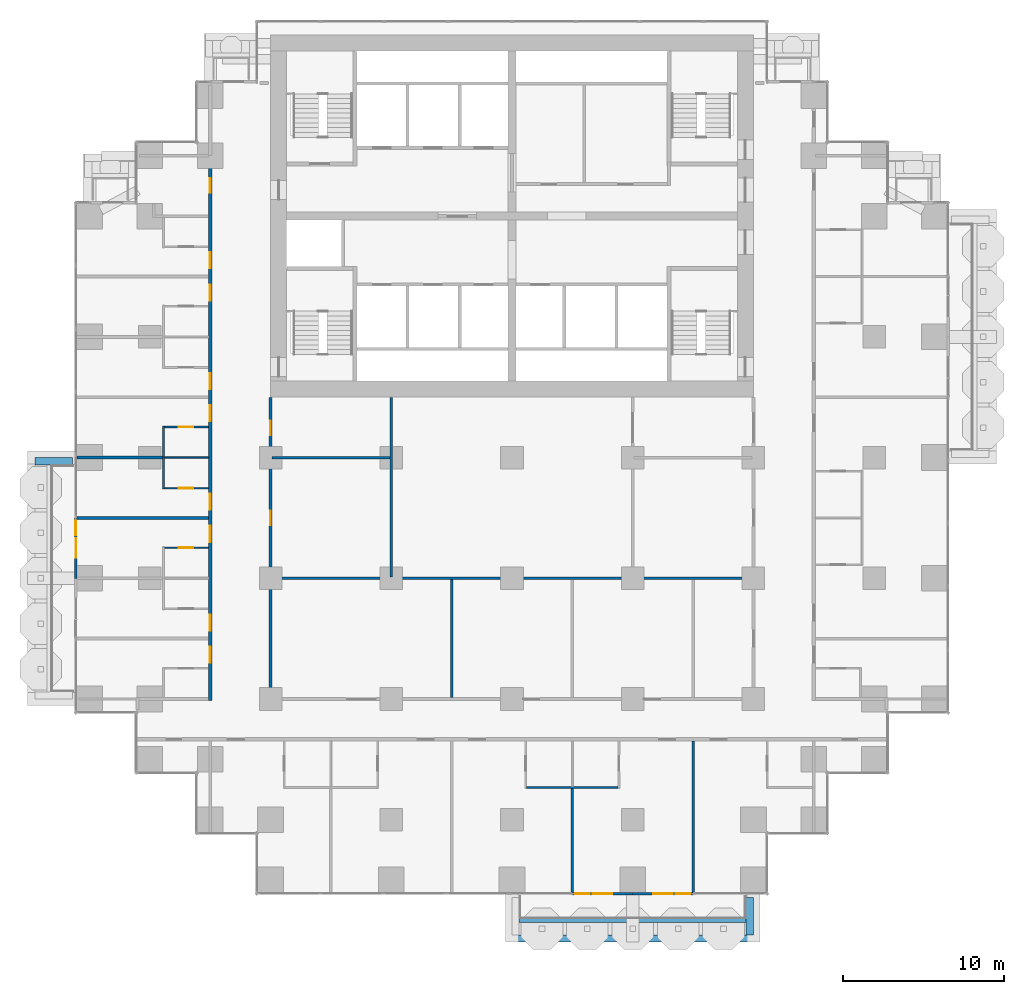
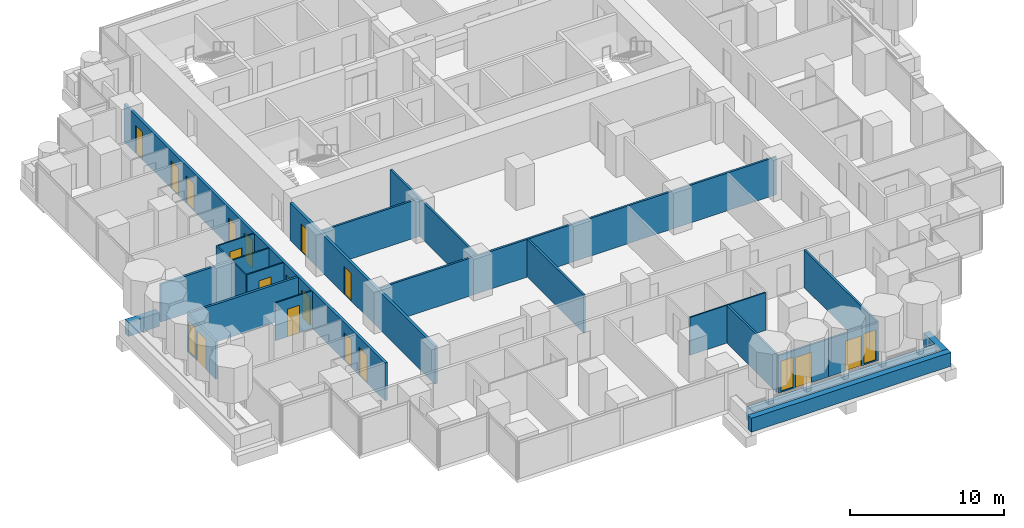
# One storey, part 11 of 18: 23 walls, 17 doors, 3 windows, 20 openings.
"""IFC4 building model written with IfcOpenShell, lengths in metres."""

from ifc_helpers import new_model, si_unit, direction, frame, frame_2d, origin, place, context, subcontext, project, spatial, rectangle, extrude, material, layer, layer_set, type_object, element, fill, save


model = new_model("IFC4")

# Units and contexts
model_context = context("Model", 3, precision=1e-05, world=origin(), true_north=direction((0.0, 1.0)))
body_context = subcontext(model_context, "Body", "Model", "MODEL_VIEW")
ifc_project = project(units=[si_unit("LENGTHUNIT", "METRE"), si_unit("AREAUNIT", "SQUARE_METRE"), si_unit("VOLUMEUNIT", "CUBIC_METRE"), si_unit("PLANEANGLEUNIT", "RADIAN"), si_unit("MASSUNIT", "GRAM", prefix="KILO")], contexts=[model_context])

# Site, building, storey
site_placement = place(None, origin())
site = spatial("IfcSite", under=ifc_project, at=site_placement, CompositionType="ELEMENT")
building_placement = place(site_placement, origin())
building = spatial("IfcBuilding", under=site, at=building_placement, Name="Pilkhan Gate Tower", CompositionType="ELEMENT")
storey_placement = place(building_placement, frame((0.0, 0.0, 52.699951171875)))
storey = spatial("IfcBuildingStorey", under=building, at=storey_placement, Name="L10", CompositionType="ELEMENT", Elevation=52.699951171875)

# Walls
ifc_material_1 = material(Name="Dense blockwork", Category="masonry")
ifc_layer_1 = layer(ifc_material_1, 0.175048828125)
ifc_layer_set_1 = layer_set([ifc_layer_1], Name="Acoustic party wall PW175")
wall_type_1 = type_object("IfcWallType", Name="Acoustic party wall PW175", PredefinedType="PARTITIONING", material=ifc_layer_set_1)
wall_1_placement = place(storey_placement, frame((47.985107421875, 63.75, 0.0), z_axis=(0.0, 0.0, 1.0), x_axis=(1.0, 0.0, 0.0)))
element("IfcWall", 1, at=wall_1_placement, inside=storey, type_object=wall_type_1, Name="Partition L10", PredefinedType="PARTITIONING", context=body_context, shape_type="SweptSolid", body=[
    extrude(rectangle(XDim=8.164794921875, YDim=0.175048828125, at=frame_2d((4.08251953125, 0.0))), origin(), (0.0, 0.0, 1.0), 3.0),
])
wall_2_placement = place(storey_placement, frame((47.985107421875, 67.5, 0.0), z_axis=(0.0, 0.0, 1.0), x_axis=(1.0, 0.0, 0.0)))
element("IfcWall", 2, at=wall_2_placement, inside=storey, type_object=wall_type_1, Name="Partition L10", PredefinedType="PARTITIONING", context=body_context, shape_type="SweptSolid", body=[
    extrude(rectangle(XDim=5.31494140625, YDim=0.175048828125, at=frame_2d((2.657470703125, 0.0))), origin(), (0.0, 0.0, 1.0), 3.0),
])
ifc_material_2 = material(Name="Concrete C40/50", Category="concrete")
ifc_layer_2 = layer(ifc_material_2, 0.25)
ifc_layer_set_2 = layer_set([ifc_layer_2], Name="Balcony planter BP250")
wall_type_2 = type_object("IfcWallType", Name="Balcony planter BP250", PredefinedType="USERDEFINED", material=ifc_layer_set_2)
wall_3_placement = place(storey_placement, frame((75.449951171875, 38.72509765625, 0.0), z_axis=(0.0, 0.0, 1.0), x_axis=(1.0, 0.0, 0.0)))
element("IfcWall", 3, at=wall_3_placement, inside=storey, type_object=wall_type_2, Name="Balcony planter L10 S", ObjectType="BALCONY PLANTER", PredefinedType="USERDEFINED", context=body_context, shape_type="SweptSolid", body=[
    extrude(rectangle(XDim=14.10009765625, YDim=0.25, at=frame_2d((7.050048828125, 0.0))), origin(), (0.0, 0.0, 1.0), 1.0),
])
ifc_material_3 = material(Name="Board-marked Concrete C40/50", Category="concrete")
ifc_layer_3 = layer(ifc_material_3, 0.449951171875)
ifc_layer_set_3 = layer_set([ifc_layer_3], Name="Balcony planter lip BL450")
wall_type_3 = type_object("IfcWallType", Name="Balcony planter lip BL450", PredefinedType="USERDEFINED", material=ifc_layer_set_3)
wall_4_placement = place(storey_placement, frame((75.0, 37.625, 0.0), z_axis=(0.0, 0.0, 1.0), x_axis=(1.0, 0.0, 0.0)))
element("IfcWall", 4, at=wall_4_placement, inside=storey, type_object=wall_type_3, Name="Balcony planter L10 S", ObjectType="BALCONY PLANTER", PredefinedType="USERDEFINED", context=body_context, shape_type="SweptSolid", body=[
    extrude(rectangle(XDim=15.0, YDim=0.449951171875, at=frame_2d((7.5, 0.0))), origin(), (0.0, 0.0, 1.0), 1.10009765625),
])
for number, where, z_axis, x_axis, name in (
    (5, (89.77490234375, 40.179931640625, 0.0), (0.0, 0.0, 1.0), (0.0, -1.0, 0.0), "Balcony planter L10 S"),
    (6, (47.679931640625, 67.27490234375, 0.0), (0.0, 0.0, 1.0), (-1.0, 0.0, 0.0), "Balcony planter L10 W"),
):
    element("IfcWall", number, at=place(storey_placement, frame(where, z_axis=z_axis, x_axis=x_axis)), inside=storey, type_object=wall_type_3, Name=name, ObjectType="BALCONY PLANTER", PredefinedType="USERDEFINED", context=body_context, shape_type="SweptSolid", body=[
        extrude(rectangle(XDim=2.329833984375, YDim=0.449951171875, at=frame_2d((1.1650390625, 0.0))), origin(), (0.0, 0.0, 1.0), 1.10009765625),
    ])

# Wall, openings, doors
ifc_layer_4 = layer(ifc_material_1, 0.199951171875)
ifc_layer_set_4 = layer_set([ifc_layer_4], Name="Corridor wall FW200")
wall_type_4 = type_object("IfcWallType", Name="Corridor wall FW200", PredefinedType="PARTITIONING", material=ifc_layer_set_4)
wall_5_placement = place(storey_placement, frame((56.25, 52.39990234375, 0.0), z_axis=(0.0, 0.0, 1.0), x_axis=(0.0, 1.0, 0.0)))
wall_5 = element("IfcWall", 7, at=wall_5_placement, inside=storey, type_object=wall_type_4, Name="Partition L10", PredefinedType="PARTITIONING", context=body_context, shape_type="SweptSolid", body=[
    extrude(rectangle(XDim=33.925048828125, YDim=0.199951171875, at=frame_2d((16.96240234375, 0.0))), origin(), (0.0, 0.0, 1.0), 3.0),
])
opening_1_placement = place(wall_5_placement, frame((2.35009765625, 0.0, 0.0)))
opening_1 = element("IfcOpeningElement", 8, at=opening_1_placement, cuts=wall_5, Name="Opening L10-16", PredefinedType="OPENING", context=body_context, shape_type="SweptSolid", body=[
    extrude(rectangle(XDim=1.0, YDim=2.199951171875, at=frame_2d((0.5, 1.10009765625))), frame((0.0, 0.10986328125, 0.0), z_axis=(0.0, -1.0, 0.0), x_axis=(1.0, 0.0, 0.0)), (0.0, 0.0, 1.0), 0.219970703125),
])
opening_2_placement = place(wall_5_placement, frame((4.35009765625, 0.0, 0.0)))
opening_2 = element("IfcOpeningElement", 9, at=opening_2_placement, cuts=wall_5, Name="Opening L10-18", PredefinedType="OPENING", context=body_context, shape_type="SweptSolid", body=[
    extrude(rectangle(XDim=1.0, YDim=2.199951171875, at=frame_2d((0.5, 1.10009765625))), frame((0.0, 0.10986328125, 0.0), z_axis=(0.0, -1.0, 0.0), x_axis=(1.0, 0.0, 0.0)), (0.0, 0.0, 1.0), 0.219970703125),
])
opening_3_placement = place(wall_5_placement, frame((9.85009765625, 0.0, 0.0)))
opening_3 = element("IfcOpeningElement", 10, at=opening_3_placement, cuts=wall_5, Name="Opening L10-20", PredefinedType="OPENING", context=body_context, shape_type="SweptSolid", body=[
    extrude(rectangle(XDim=1.0, YDim=2.199951171875, at=frame_2d((0.5, 1.10009765625))), frame((0.0, 0.10986328125, 0.0), z_axis=(0.0, -1.0, 0.0), x_axis=(1.0, 0.0, 0.0)), (0.0, 0.0, 1.0), 0.219970703125),
])
opening_4_placement = place(wall_5_placement, frame((11.85009765625, 0.0, 0.0)))
opening_4 = element("IfcOpeningElement", 11, at=opening_4_placement, cuts=wall_5, Name="Opening L10-22", PredefinedType="OPENING", context=body_context, shape_type="SweptSolid", body=[
    extrude(rectangle(XDim=1.0, YDim=2.199951171875, at=frame_2d((0.5, 1.10009765625))), frame((0.0, 0.10986328125, 0.0), z_axis=(0.0, -1.0, 0.0), x_axis=(1.0, 0.0, 0.0)), (0.0, 0.0, 1.0), 0.219970703125),
])
opening_5_placement = place(wall_5_placement, frame((17.35009765625, 0.0, 0.0)))
opening_5 = element("IfcOpeningElement", 12, at=opening_5_placement, cuts=wall_5, Name="Opening L10-24", PredefinedType="OPENING", context=body_context, shape_type="SweptSolid", body=[
    extrude(rectangle(XDim=1.0, YDim=2.199951171875, at=frame_2d((0.5, 1.10009765625))), frame((0.0, 0.10986328125, 0.0), z_axis=(0.0, -1.0, 0.0), x_axis=(1.0, 0.0, 0.0)), (0.0, 0.0, 1.0), 0.219970703125),
])
opening_6_placement = place(wall_5_placement, frame((19.35009765625, 0.0, 0.0)))
opening_6 = element("IfcOpeningElement", 13, at=opening_6_placement, cuts=wall_5, Name="Opening L10-26", PredefinedType="OPENING", context=body_context, shape_type="SweptSolid", body=[
    extrude(rectangle(XDim=1.0, YDim=2.199951171875, at=frame_2d((0.5, 1.10009765625))), frame((0.0, 0.10986328125, 0.0), z_axis=(0.0, -1.0, 0.0), x_axis=(1.0, 0.0, 0.0)), (0.0, 0.0, 1.0), 0.219970703125),
])
opening_7_placement = place(wall_5_placement, frame((24.85009765625, 0.0, 0.0)))
opening_7 = element("IfcOpeningElement", 14, at=opening_7_placement, cuts=wall_5, Name="Opening L10-28", PredefinedType="OPENING", context=body_context, shape_type="SweptSolid", body=[
    extrude(rectangle(XDim=1.0, YDim=2.199951171875, at=frame_2d((0.5, 1.10009765625))), frame((0.0, 0.10986328125, 0.0), z_axis=(0.0, -1.0, 0.0), x_axis=(1.0, 0.0, 0.0)), (0.0, 0.0, 1.0), 0.219970703125),
])
opening_8_placement = place(wall_5_placement, frame((26.85009765625, 0.0, 0.0)))
opening_8 = element("IfcOpeningElement", 15, at=opening_8_placement, cuts=wall_5, Name="Opening L10-30", PredefinedType="OPENING", context=body_context, shape_type="SweptSolid", body=[
    extrude(rectangle(XDim=1.0, YDim=2.199951171875, at=frame_2d((0.5, 1.10009765625))), frame((0.0, 0.10986328125, 0.0), z_axis=(0.0, -1.0, 0.0), x_axis=(1.0, 0.0, 0.0)), (0.0, 0.0, 1.0), 0.219970703125),
])
opening_9_placement = place(wall_5_placement, frame((31.550048828125, 0.0, 0.0)))
opening_9 = element("IfcOpeningElement", 16, at=opening_9_placement, cuts=wall_5, Name="Opening L10-49", PredefinedType="OPENING", context=body_context, shape_type="SweptSolid", body=[
    extrude(rectangle(XDim=0.89990234375, YDim=2.199951171875, at=frame_2d((0.449951171875, 1.10009765625))), frame((0.0, 0.10986328125, 0.0), z_axis=(0.0, -1.0, 0.0), x_axis=(1.0, 0.0, 0.0)), (0.0, 0.0, 1.0), 0.219970703125),
])
ifc_material_4 = material(Name="Timber flush door, 30 minute fire resisting", Category="wood")
door_type_1 = type_object("IfcDoorType", Name="Guest room door D01 1000x2200", OperationType="SINGLE_SWING_LEFT", PredefinedType="DOOR", material=ifc_material_4)
door_1_placement = place(opening_1_placement, origin())
door_1 = element("IfcDoor", 17, at=door_1_placement, inside=storey, type_object=door_type_1, Name="Guest room door", OperationType="SINGLE_SWING_RIGHT", OverallHeight=2.199951171875, OverallWidth=1.0, PredefinedType="DOOR", context=body_context, shape_type="SweptSolid", body=[
    extrude(rectangle(XDim=1.0, YDim=2.199951171875, at=frame_2d((0.5, 1.10009765625))), frame((0.0, 0.02490234375, 0.0), z_axis=(0.0, -1.0, 0.0), x_axis=(1.0, 0.0, 0.0)), (0.0, 0.0, 1.0), 0.050048828125),
])
fill(opening_1, door_1)
door_2_placement = place(opening_2_placement, origin())
door_2 = element("IfcDoor", 18, at=door_2_placement, inside=storey, type_object=door_type_1, Name="Guest room door", OperationType="SINGLE_SWING_LEFT", OverallHeight=2.199951171875, OverallWidth=1.0, PredefinedType="DOOR", context=body_context, shape_type="SweptSolid", body=[
    extrude(rectangle(XDim=1.0, YDim=2.199951171875, at=frame_2d((0.5, 1.10009765625))), frame((0.0, 0.02490234375, 0.0), z_axis=(0.0, -1.0, 0.0), x_axis=(1.0, 0.0, 0.0)), (0.0, 0.0, 1.0), 0.050048828125),
])
fill(opening_2, door_2)
door_3_placement = place(opening_3_placement, origin())
door_3 = element("IfcDoor", 19, at=door_3_placement, inside=storey, type_object=door_type_1, Name="Guest room door", OperationType="SINGLE_SWING_LEFT", OverallHeight=2.199951171875, OverallWidth=1.0, PredefinedType="DOOR", context=body_context, shape_type="SweptSolid", body=[
    extrude(rectangle(XDim=1.0, YDim=2.199951171875, at=frame_2d((0.5, 1.10009765625))), frame((0.0, 0.02490234375, 0.0), z_axis=(0.0, -1.0, 0.0), x_axis=(1.0, 0.0, 0.0)), (0.0, 0.0, 1.0), 0.050048828125),
])
fill(opening_3, door_3)
door_4_placement = place(opening_4_placement, origin())
door_4 = element("IfcDoor", 20, at=door_4_placement, inside=storey, type_object=door_type_1, Name="Guest room door", OperationType="SINGLE_SWING_LEFT", OverallHeight=2.199951171875, OverallWidth=1.0, PredefinedType="DOOR", context=body_context, shape_type="SweptSolid", body=[
    extrude(rectangle(XDim=1.0, YDim=2.199951171875, at=frame_2d((0.5, 1.10009765625))), frame((0.0, 0.02490234375, 0.0), z_axis=(0.0, -1.0, 0.0), x_axis=(1.0, 0.0, 0.0)), (0.0, 0.0, 1.0), 0.050048828125),
])
fill(opening_4, door_4)
door_5_placement = place(opening_5_placement, origin())
door_5 = element("IfcDoor", 21, at=door_5_placement, inside=storey, type_object=door_type_1, Name="Guest room door", OperationType="SINGLE_SWING_LEFT", OverallHeight=2.199951171875, OverallWidth=1.0, PredefinedType="DOOR", context=body_context, shape_type="SweptSolid", body=[
    extrude(rectangle(XDim=1.0, YDim=2.199951171875, at=frame_2d((0.5, 1.10009765625))), frame((0.0, 0.02490234375, 0.0), z_axis=(0.0, -1.0, 0.0), x_axis=(1.0, 0.0, 0.0)), (0.0, 0.0, 1.0), 0.050048828125),
])
fill(opening_5, door_5)
door_6_placement = place(opening_6_placement, origin())
door_6 = element("IfcDoor", 22, at=door_6_placement, inside=storey, type_object=door_type_1, Name="Guest room door", OperationType="SINGLE_SWING_LEFT", OverallHeight=2.199951171875, OverallWidth=1.0, PredefinedType="DOOR", context=body_context, shape_type="SweptSolid", body=[
    extrude(rectangle(XDim=1.0, YDim=2.199951171875, at=frame_2d((0.5, 1.10009765625))), frame((0.0, 0.02490234375, 0.0), z_axis=(0.0, -1.0, 0.0), x_axis=(1.0, 0.0, 0.0)), (0.0, 0.0, 1.0), 0.050048828125),
])
fill(opening_6, door_6)
door_7_placement = place(opening_7_placement, origin())
door_7 = element("IfcDoor", 23, at=door_7_placement, inside=storey, type_object=door_type_1, Name="Guest room door", OperationType="SINGLE_SWING_LEFT", OverallHeight=2.199951171875, OverallWidth=1.0, PredefinedType="DOOR", context=body_context, shape_type="SweptSolid", body=[
    extrude(rectangle(XDim=1.0, YDim=2.199951171875, at=frame_2d((0.5, 1.10009765625))), frame((0.0, 0.02490234375, 0.0), z_axis=(0.0, -1.0, 0.0), x_axis=(1.0, 0.0, 0.0)), (0.0, 0.0, 1.0), 0.050048828125),
])
fill(opening_7, door_7)
door_8_placement = place(opening_8_placement, origin())
door_8 = element("IfcDoor", 24, at=door_8_placement, inside=storey, type_object=door_type_1, Name="Guest room door", OperationType="SINGLE_SWING_RIGHT", OverallHeight=2.199951171875, OverallWidth=1.0, PredefinedType="DOOR", context=body_context, shape_type="SweptSolid", body=[
    extrude(rectangle(XDim=1.0, YDim=2.199951171875, at=frame_2d((0.5, 1.10009765625))), frame((0.0, 0.02490234375, 0.0), z_axis=(0.0, -1.0, 0.0), x_axis=(1.0, 0.0, 0.0)), (0.0, 0.0, 1.0), 0.050048828125),
])
fill(opening_8, door_8)
ifc_material_5 = material(Name="Timber flush door, 60 minute fire resisting, self-closing", Category="wood")
door_type_2 = type_object("IfcDoorType", Name="Store door D05 900x2200", OperationType="SINGLE_SWING_LEFT", PredefinedType="DOOR", material=ifc_material_5)
door_9_placement = place(opening_9_placement, origin())
door_9 = element("IfcDoor", 25, at=door_9_placement, inside=storey, type_object=door_type_2, Name="Store door", OperationType="SINGLE_SWING_LEFT", OverallHeight=2.199951171875, OverallWidth=0.89990234375, PredefinedType="DOOR", context=body_context, shape_type="SweptSolid", body=[
    extrude(rectangle(XDim=0.89990234375, YDim=2.199951171875, at=frame_2d((0.449951171875, 1.10009765625))), frame((0.0, 0.02490234375, 0.0), z_axis=(0.0, -1.0, 0.0), x_axis=(1.0, 0.0, 0.0)), (0.0, 0.0, 1.0), 0.050048828125),
])
fill(opening_9, door_9)

wall_6_placement = place(storey_placement, frame((60.0, 52.39990234375, 0.0), z_axis=(0.0, 0.0, 1.0), x_axis=(0.0, 1.0, 0.0)))
wall_6 = element("IfcWall", 26, at=wall_6_placement, inside=storey, type_object=wall_type_4, Name="Partition L10", PredefinedType="PARTITIONING", context=body_context, shape_type="SweptSolid", body=[
    extrude(rectangle(XDim=18.840087890625, YDim=0.199951171875, at=frame_2d((9.419921875, 0.0))), origin(), (0.0, 0.0, 1.0), 3.0),
])
opening_10_placement = place(wall_6_placement, frame((10.89990234375, 0.0, 0.0)))
opening_10 = element("IfcOpeningElement", 27, at=opening_10_placement, cuts=wall_6, Name="Opening L10-55", PredefinedType="OPENING", context=body_context, shape_type="SweptSolid", body=[
    extrude(rectangle(XDim=0.89990234375, YDim=2.199951171875, at=frame_2d((0.449951171875, 1.10009765625))), frame((0.0, 0.10986328125, 0.0), z_axis=(0.0, -1.0, 0.0), x_axis=(1.0, 0.0, 0.0)), (0.0, 0.0, 1.0), 0.219970703125),
])
opening_11_placement = place(wall_6_placement, frame((16.5, 0.0, 0.0)))
opening_11 = element("IfcOpeningElement", 28, at=opening_11_placement, cuts=wall_6, Name="Opening L10-56", PredefinedType="OPENING", context=body_context, shape_type="SweptSolid", body=[
    extrude(rectangle(XDim=0.89990234375, YDim=2.199951171875, at=frame_2d((0.449951171875, 1.10009765625))), frame((0.0, 0.10986328125, 0.0), z_axis=(0.0, -1.0, 0.0), x_axis=(1.0, 0.0, 0.0)), (0.0, 0.0, 1.0), 0.219970703125),
])
door_10_placement = place(opening_10_placement, origin())
door_10 = element("IfcDoor", 29, at=door_10_placement, inside=storey, type_object=door_type_2, Name="Store door", OperationType="SINGLE_SWING_LEFT", OverallHeight=2.199951171875, OverallWidth=0.89990234375, PredefinedType="DOOR", context=body_context, shape_type="SweptSolid", body=[
    extrude(rectangle(XDim=0.89990234375, YDim=2.199951171875, at=frame_2d((0.449951171875, 1.10009765625))), frame((0.0, 0.02490234375, 0.0), z_axis=(0.0, -1.0, 0.0), x_axis=(1.0, 0.0, 0.0)), (0.0, 0.0, 1.0), 0.050048828125),
])
fill(opening_10, door_10)
door_11_placement = place(opening_11_placement, origin())
door_11 = element("IfcDoor", 30, at=door_11_placement, inside=storey, type_object=door_type_2, Name="Store door", OperationType="SINGLE_SWING_RIGHT", OverallHeight=2.199951171875, OverallWidth=0.89990234375, PredefinedType="DOOR", context=body_context, shape_type="SweptSolid", body=[
    extrude(rectangle(XDim=0.89990234375, YDim=2.199951171875, at=frame_2d((0.449951171875, 1.10009765625))), frame((0.0, 0.02490234375, 0.0), z_axis=(0.0, -1.0, 0.0), x_axis=(1.0, 0.0, 0.0)), (0.0, 0.0, 1.0), 0.050048828125),
])
fill(opening_11, door_11)

# Wall, openings, door, window
ifc_material_6 = material(Name="Pale anodised aluminium, clear laminated glazing", Category="aluminium")
ifc_layer_5 = layer(ifc_material_6, 0.14990234375)
ifc_layer_set_5 = layer_set([ifc_layer_5], Name="Facade infill wall IW150")
wall_type_5 = type_object("IfcWallType", Name="Facade infill wall IW150", PredefinedType="SOLIDWALL", material=ifc_layer_set_5)
wall_7_placement = place(storey_placement, frame((47.905029296875, 60.0, 0.0), z_axis=(0.0, 0.0, 1.0), x_axis=(0.0, 1.0, 0.0)))
wall_7 = element("IfcWall", 31, at=wall_7_placement, inside=storey, type_object=wall_type_5, Name="Infill wall L10 W", PredefinedType="SOLIDWALL", context=body_context, shape_type="SweptSolid", body=[
    extrude(rectangle(XDim=3.75, YDim=0.14990234375, at=frame_2d((1.875, 0.0))), origin(), (0.0, 0.0, 1.0), 3.0),
])
opening_12_placement = place(wall_7_placement, frame((1.27490234375, 0.0, 0.0)))
opening_12 = element("IfcOpeningElement", 32, at=opening_12_placement, cuts=wall_7, Name="Opening D1", PredefinedType="OPENING", context=body_context, shape_type="SweptSolid", body=[
    extrude(rectangle(XDim=1.199951171875, YDim=2.39990234375, at=frame_2d((0.60009765625, 1.199951171875))), frame((0.0, 0.0849609375, 0.0), z_axis=(0.0, -1.0, 0.0), x_axis=(1.0, 0.0, 0.0)), (0.0, 0.0, 1.0), 0.169921875),
])
opening_13_placement = place(wall_7_placement, frame((2.66259765625, 0.0, 0.10009765625)))
opening_13 = element("IfcOpeningElement", 33, at=opening_13_placement, cuts=wall_7, Name="Opening W1", PredefinedType="OPENING", context=body_context, shape_type="SweptSolid", body=[
    extrude(rectangle(XDim=0.89990234375, YDim=2.39990234375, at=frame_2d((0.449951171875, 1.199951171875))), frame((0.0, 0.0849609375, 0.0), z_axis=(0.0, -1.0, 0.0), x_axis=(1.0, 0.0, 0.0)), (0.0, 0.0, 1.0), 0.169921875),
])
ifc_material_7 = material(Name="Pale anodised aluminium, clear glazing", Category="aluminium")
door_type_3 = type_object("IfcDoorType", Name="Balcony door D1 1200x2400", OperationType="SINGLE_SWING_LEFT", PredefinedType="DOOR", material=ifc_material_7)
door_12_placement = place(opening_12_placement, origin())
door_12 = element("IfcDoor", 34, at=door_12_placement, inside=storey, type_object=door_type_3, Name="Balcony door L10", OperationType="SINGLE_SWING_LEFT", OverallHeight=2.39990234375, OverallWidth=1.199951171875, PredefinedType="DOOR", context=body_context, shape_type="SweptSolid", body=[
    extrude(rectangle(XDim=1.199951171875, YDim=2.39990234375, at=frame_2d((0.60009765625, 1.199951171875))), frame((0.0, 0.02490234375, 0.0), z_axis=(0.0, -1.0, 0.0), x_axis=(1.0, 0.0, 0.0)), (0.0, 0.0, 1.0), 0.050048828125),
])
fill(opening_12, door_12)
ifc_material_8 = material(Name="Pale anodised aluminium, clear double glazing", Category="aluminium")
window_type = type_object("IfcWindowType", Name="Window W1 900x2400", PartitioningType="SINGLE_PANEL", PredefinedType="WINDOW", material=ifc_material_8)
window_1_placement = place(opening_13_placement, origin())
window_1 = element("IfcWindow", 35, at=window_1_placement, inside=storey, type_object=window_type, Name="Window L10", OverallHeight=2.39990234375, OverallWidth=0.89990234375, PartitioningType="SINGLE_PANEL", PredefinedType="WINDOW", context=body_context, shape_type="SweptSolid", body=[
    extrude(rectangle(XDim=0.89990234375, YDim=2.39990234375, at=frame_2d((0.449951171875, 1.199951171875))), frame((0.0, 0.030029296875, 0.0), z_axis=(0.0, -1.0, 0.0), x_axis=(1.0, 0.0, 0.0)), (0.0, 0.0, 1.0), 0.06005859375),
])
fill(opening_13, window_1)

wall_8_placement = place(storey_placement, frame((78.75, 40.405029296875, 0.0), z_axis=(0.0, 0.0, 1.0), x_axis=(1.0, 0.0, 0.0)))
wall_8 = element("IfcWall", 36, at=wall_8_placement, inside=storey, type_object=wall_type_5, Name="Infill wall L10 S", PredefinedType="SOLIDWALL", context=body_context, shape_type="SweptSolid", body=[
    extrude(rectangle(XDim=3.75, YDim=0.14990234375, at=frame_2d((1.875, 0.0))), origin(), (0.0, 0.0, 1.0), 3.0),
])
opening_14_placement = place(wall_8_placement, frame((0.1875, 0.0, 0.10009765625)))
opening_14 = element("IfcOpeningElement", 37, at=opening_14_placement, cuts=wall_8, Name="Opening W1", PredefinedType="OPENING", context=body_context, shape_type="SweptSolid", body=[
    extrude(rectangle(XDim=0.89990234375, YDim=2.39990234375, at=frame_2d((0.449951171875, 1.199951171875))), frame((0.0, 0.0849609375, 0.0), z_axis=(0.0, -1.0, 0.0), x_axis=(1.0, 0.0, 0.0)), (0.0, 0.0, 1.0), 0.169921875),
])
opening_15_placement = place(wall_8_placement, frame((1.27490234375, 0.0, 0.0)))
opening_15 = element("IfcOpeningElement", 38, at=opening_15_placement, cuts=wall_8, Name="Opening D1", PredefinedType="OPENING", context=body_context, shape_type="SweptSolid", body=[
    extrude(rectangle(XDim=1.199951171875, YDim=2.39990234375, at=frame_2d((0.60009765625, 1.199951171875))), frame((0.0, 0.0849609375, 0.0), z_axis=(0.0, -1.0, 0.0), x_axis=(1.0, 0.0, 0.0)), (0.0, 0.0, 1.0), 0.169921875),
])
door_13_placement = place(opening_15_placement, origin())
door_13 = element("IfcDoor", 39, at=door_13_placement, inside=storey, type_object=door_type_3, Name="Balcony door L10", OperationType="SINGLE_SWING_LEFT", OverallHeight=2.39990234375, OverallWidth=1.199951171875, PredefinedType="DOOR", context=body_context, shape_type="SweptSolid", body=[
    extrude(rectangle(XDim=1.199951171875, YDim=2.39990234375, at=frame_2d((0.60009765625, 1.199951171875))), frame((0.0, 0.02490234375, 0.0), z_axis=(0.0, -1.0, 0.0), x_axis=(1.0, 0.0, 0.0)), (0.0, 0.0, 1.0), 0.050048828125),
])
fill(opening_15, door_13)
window_2_placement = place(opening_14_placement, origin())
window_2 = element("IfcWindow", 40, at=window_2_placement, inside=storey, type_object=window_type, Name="Window L10", OverallHeight=2.39990234375, OverallWidth=0.89990234375, PartitioningType="SINGLE_PANEL", PredefinedType="WINDOW", context=body_context, shape_type="SweptSolid", body=[
    extrude(rectangle(XDim=0.89990234375, YDim=2.39990234375, at=frame_2d((0.449951171875, 1.199951171875))), frame((0.0, 0.030029296875, 0.0), z_axis=(0.0, -1.0, 0.0), x_axis=(1.0, 0.0, 0.0)), (0.0, 0.0, 1.0), 0.06005859375),
])
fill(opening_14, window_2)

wall_9_placement = place(storey_placement, frame((82.5, 40.405029296875, 0.0), z_axis=(0.0, 0.0, 1.0), x_axis=(1.0, 0.0, 0.0)))
wall_9 = element("IfcWall", 41, at=wall_9_placement, inside=storey, type_object=wall_type_5, Name="Infill wall L10 S", PredefinedType="SOLIDWALL", context=body_context, shape_type="SweptSolid", body=[
    extrude(rectangle(XDim=3.75, YDim=0.14990234375, at=frame_2d((1.875, 0.0))), origin(), (0.0, 0.0, 1.0), 3.0),
])
opening_16_placement = place(wall_9_placement, frame((1.27490234375, 0.0, 0.0)))
opening_16 = element("IfcOpeningElement", 42, at=opening_16_placement, cuts=wall_9, Name="Opening D1", PredefinedType="OPENING", context=body_context, shape_type="SweptSolid", body=[
    extrude(rectangle(XDim=1.199951171875, YDim=2.39990234375, at=frame_2d((0.60009765625, 1.199951171875))), frame((0.0, 0.0849609375, 0.0), z_axis=(0.0, -1.0, 0.0), x_axis=(1.0, 0.0, 0.0)), (0.0, 0.0, 1.0), 0.169921875),
])
opening_17_placement = place(wall_9_placement, frame((2.66259765625, 0.0, 0.10009765625)))
opening_17 = element("IfcOpeningElement", 43, at=opening_17_placement, cuts=wall_9, Name="Opening W1", PredefinedType="OPENING", context=body_context, shape_type="SweptSolid", body=[
    extrude(rectangle(XDim=0.89990234375, YDim=2.39990234375, at=frame_2d((0.449951171875, 1.199951171875))), frame((0.0, 0.0849609375, 0.0), z_axis=(0.0, -1.0, 0.0), x_axis=(1.0, 0.0, 0.0)), (0.0, 0.0, 1.0), 0.169921875),
])
door_14_placement = place(opening_16_placement, origin())
door_14 = element("IfcDoor", 44, at=door_14_placement, inside=storey, type_object=door_type_3, Name="Balcony door L10", OperationType="SINGLE_SWING_LEFT", OverallHeight=2.39990234375, OverallWidth=1.199951171875, PredefinedType="DOOR", context=body_context, shape_type="SweptSolid", body=[
    extrude(rectangle(XDim=1.199951171875, YDim=2.39990234375, at=frame_2d((0.60009765625, 1.199951171875))), frame((0.0, 0.02490234375, 0.0), z_axis=(0.0, -1.0, 0.0), x_axis=(1.0, 0.0, 0.0)), (0.0, 0.0, 1.0), 0.050048828125),
])
fill(opening_16, door_14)
window_3_placement = place(opening_17_placement, origin())
window_3 = element("IfcWindow", 45, at=window_3_placement, inside=storey, type_object=window_type, Name="Window L10", OverallHeight=2.39990234375, OverallWidth=0.89990234375, PartitioningType="SINGLE_PANEL", PredefinedType="WINDOW", context=body_context, shape_type="SweptSolid", body=[
    extrude(rectangle(XDim=0.89990234375, YDim=2.39990234375, at=frame_2d((0.449951171875, 1.199951171875))), frame((0.0, 0.030029296875, 0.0), z_axis=(0.0, -1.0, 0.0), x_axis=(1.0, 0.0, 0.0)), (0.0, 0.0, 1.0), 0.06005859375),
])
fill(opening_17, window_3)

# Walls
ifc_material_9 = material(Name="Blockwork partition, plastered both sides", Category="masonry")
ifc_layer_6 = layer(ifc_material_9, 0.14990234375)
ifc_layer_set_6 = layer_set([ifc_layer_6], Name="Partition PW150")
wall_type_6 = type_object("IfcWallType", Name="Partition PW150", PredefinedType="PARTITIONING", material=ifc_layer_set_6)
wall_10_placement = place(storey_placement, frame((60.10009765625, 60.0, 0.0), z_axis=(0.0, 0.0, 1.0), x_axis=(1.0, 0.0, 0.0)))
element("IfcWall", 46, at=wall_10_placement, inside=storey, type_object=wall_type_6, Name="Partition L10", PredefinedType="PARTITIONING", context=body_context, shape_type="SweptSolid", body=[
    extrude(rectangle(XDim=29.7998046875, YDim=0.14990234375, at=frame_2d((14.89990234375, 0.0))), origin(), (0.0, 0.0, 1.0), 3.0),
])
wall_11_placement = place(storey_placement, frame((60.10009765625, 67.5, 0.0), z_axis=(0.0, 0.0, 1.0), x_axis=(1.0, 0.0, 0.0)))
element("IfcWall", 47, at=wall_11_placement, inside=storey, type_object=wall_type_6, Name="Partition L10", PredefinedType="PARTITIONING", context=body_context, shape_type="SweptSolid", body=[
    extrude(rectangle(XDim=7.324951171875, YDim=0.14990234375, at=frame_2d((3.66259765625, 0.0))), origin(), (0.0, 0.0, 1.0), 3.0),
])
wall_12_placement = place(storey_placement, frame((67.5, 60.074951171875, 0.0), z_axis=(0.0, 0.0, 1.0), x_axis=(0.0, 1.0, 0.0)))
element("IfcWall", 48, at=wall_12_placement, inside=storey, type_object=wall_type_6, Name="Partition L10", PredefinedType="PARTITIONING", context=body_context, shape_type="SweptSolid", body=[
    extrude(rectangle(XDim=11.1650390625, YDim=0.14990234375, at=frame_2d((5.58251953125, 0.0))), origin(), (0.0, 0.0, 1.0), 3.0),
])
wall_13_placement = place(storey_placement, frame((71.25, 52.60009765625, 0.0), z_axis=(0.0, 0.0, 1.0), x_axis=(0.0, 1.0, 0.0)))
element("IfcWall", 49, at=wall_13_placement, inside=storey, type_object=wall_type_6, Name="Partition L10", PredefinedType="PARTITIONING", context=body_context, shape_type="SweptSolid", body=[
    extrude(rectangle(XDim=7.324951171875, YDim=0.14990234375, at=frame_2d((3.66259765625, 0.0))), origin(), (0.0, 0.0, 1.0), 3.0),
])
wall_14_placement = place(storey_placement, frame((78.75, 40.485107421875, 0.0), z_axis=(0.0, 0.0, 1.0), x_axis=(0.0, 1.0, 0.0)))
element("IfcWall", 50, at=wall_14_placement, inside=storey, type_object=wall_type_6, Name="Partition L10", PredefinedType="PARTITIONING", context=body_context, shape_type="SweptSolid", body=[
    extrude(rectangle(XDim=6.46484375, YDim=0.14990234375, at=frame_2d((3.232421875, 0.0))), origin(), (0.0, 0.0, 1.0), 3.0),
])
wall_15_placement = place(storey_placement, frame((86.25, 40.485107421875, 0.0), z_axis=(0.0, 0.0, 1.0), x_axis=(0.0, 1.0, 0.0)))
element("IfcWall", 51, at=wall_15_placement, inside=storey, type_object=wall_type_6, Name="Partition L10", PredefinedType="PARTITIONING", context=body_context, shape_type="SweptSolid", body=[
    extrude(rectangle(XDim=9.414794921875, YDim=0.14990234375, at=frame_2d((4.70751953125, 0.0))), origin(), (0.0, 0.0, 1.0), 3.0),
])
ifc_material_10 = material(Name="Moisture resistant board, tiled")
ifc_layer_7 = layer(ifc_material_10, 0.10009765625)
ifc_layer_set_7 = layer_set([ifc_layer_7], Name="Wet wall PW100")
wall_type_7 = type_object("IfcWallType", Name="Wet wall PW100", PredefinedType="PARTITIONING", material=ifc_layer_set_7)
wall_16_placement = place(storey_placement, frame((75.89990234375, 47.0, 0.0), z_axis=(0.0, 0.0, 1.0), x_axis=(1.0, 0.0, 0.0)))
element("IfcWall", 52, at=wall_16_placement, inside=storey, type_object=wall_type_7, Name="Partition L10", PredefinedType="PARTITIONING", context=body_context, shape_type="SweptSolid", body=[
    extrude(rectangle(XDim=5.7001953125, YDim=0.10009765625, at=frame_2d((2.85009765625, 0.0))), origin(), (0.0, 0.0, 1.0), 3.0),
])

# Wall, opening, door
wall_17_placement = place(storey_placement, frame((53.39990234375, 61.89990234375, 0.0), z_axis=(0.0, 0.0, 1.0), x_axis=(1.0, 0.0, 0.0)))
wall_17 = element("IfcWall", 53, at=wall_17_placement, inside=storey, type_object=wall_type_7, Name="Partition L10", PredefinedType="PARTITIONING", context=body_context, shape_type="SweptSolid", body=[
    extrude(rectangle(XDim=2.75, YDim=0.10009765625, at=frame_2d((1.375, 0.0))), origin(), (0.0, 0.0, 1.0), 3.0),
])
opening_18_placement = place(wall_17_placement, frame((0.89990234375, 0.0, 0.0)))
opening_18 = element("IfcOpeningElement", 54, at=opening_18_placement, cuts=wall_17, Name="Opening L10-21", PredefinedType="OPENING", context=body_context, shape_type="SweptSolid", body=[
    extrude(rectangle(XDim=0.89990234375, YDim=2.199951171875, at=frame_2d((0.449951171875, 1.10009765625))), frame((0.0, 0.06005859375, 0.0), z_axis=(0.0, -1.0, 0.0), x_axis=(1.0, 0.0, 0.0)), (0.0, 0.0, 1.0), 0.1201171875),
])
ifc_material_11 = material(Name="Timber flush door", Category="wood")
door_type_4 = type_object("IfcDoorType", Name="Bathroom door D02 900x2200", OperationType="SINGLE_SWING_RIGHT", PredefinedType="DOOR", material=ifc_material_11)
door_15_placement = place(opening_18_placement, origin())
door_15 = element("IfcDoor", 55, at=door_15_placement, inside=storey, type_object=door_type_4, Name="Bathroom door", OperationType="SINGLE_SWING_RIGHT", OverallHeight=2.199951171875, OverallWidth=0.89990234375, PredefinedType="DOOR", context=body_context, shape_type="SweptSolid", body=[
    extrude(rectangle(XDim=0.89990234375, YDim=2.199951171875, at=frame_2d((0.449951171875, 1.10009765625))), frame((0.0, 0.02490234375, 0.0), z_axis=(0.0, -1.0, 0.0), x_axis=(1.0, 0.0, 0.0)), (0.0, 0.0, 1.0), 0.050048828125),
])
fill(opening_18, door_15)

wall_18_placement = place(storey_placement, frame((53.39990234375, 65.60009765625, 0.0), z_axis=(0.0, 0.0, 1.0), x_axis=(1.0, 0.0, 0.0)))
wall_18 = element("IfcWall", 56, at=wall_18_placement, inside=storey, type_object=wall_type_7, Name="Partition L10", PredefinedType="PARTITIONING", context=body_context, shape_type="SweptSolid", body=[
    extrude(rectangle(XDim=2.75, YDim=0.10009765625, at=frame_2d((1.375, 0.0))), origin(), (0.0, 0.0, 1.0), 3.0),
])
opening_19_placement = place(wall_18_placement, frame((0.89990234375, 0.0, 0.0)))
opening_19 = element("IfcOpeningElement", 57, at=opening_19_placement, cuts=wall_18, Name="Opening L10-23", PredefinedType="OPENING", context=body_context, shape_type="SweptSolid", body=[
    extrude(rectangle(XDim=0.89990234375, YDim=2.199951171875, at=frame_2d((0.449951171875, 1.10009765625))), frame((0.0, 0.06005859375, 0.0), z_axis=(0.0, -1.0, 0.0), x_axis=(1.0, 0.0, 0.0)), (0.0, 0.0, 1.0), 0.1201171875),
])
door_16_placement = place(opening_19_placement, origin())
door_16 = element("IfcDoor", 58, at=door_16_placement, inside=storey, type_object=door_type_4, Name="Bathroom door", OperationType="SINGLE_SWING_RIGHT", OverallHeight=2.199951171875, OverallWidth=0.89990234375, PredefinedType="DOOR", context=body_context, shape_type="SweptSolid", body=[
    extrude(rectangle(XDim=0.89990234375, YDim=2.199951171875, at=frame_2d((0.449951171875, 1.10009765625))), frame((0.0, 0.02490234375, 0.0), z_axis=(0.0, -1.0, 0.0), x_axis=(1.0, 0.0, 0.0)), (0.0, 0.0, 1.0), 0.050048828125),
])
fill(opening_19, door_16)

# Wall
wall_19_placement = place(storey_placement, frame((53.39990234375, 67.5, 0.0), z_axis=(0.0, 0.0, 1.0), x_axis=(1.0, 0.0, 0.0)))
element("IfcWall", 59, at=wall_19_placement, inside=storey, type_object=wall_type_7, Name="Partition L10", PredefinedType="PARTITIONING", context=body_context, shape_type="SweptSolid", body=[
    extrude(rectangle(XDim=2.75, YDim=0.10009765625, at=frame_2d((1.375, 0.0))), origin(), (0.0, 0.0, 1.0), 3.0),
])

# Wall, opening, door
wall_20_placement = place(storey_placement, frame((53.39990234375, 69.39990234375, 0.0), z_axis=(0.0, 0.0, 1.0), x_axis=(1.0, 0.0, 0.0)))
wall_20 = element("IfcWall", 60, at=wall_20_placement, inside=storey, type_object=wall_type_7, Name="Partition L10", PredefinedType="PARTITIONING", context=body_context, shape_type="SweptSolid", body=[
    extrude(rectangle(XDim=2.75, YDim=0.10009765625, at=frame_2d((1.375, 0.0))), origin(), (0.0, 0.0, 1.0), 3.0),
])
opening_20_placement = place(wall_20_placement, frame((0.89990234375, 0.0, 0.0)))
opening_20 = element("IfcOpeningElement", 61, at=opening_20_placement, cuts=wall_20, Name="Opening L10-25", PredefinedType="OPENING", context=body_context, shape_type="SweptSolid", body=[
    extrude(rectangle(XDim=0.89990234375, YDim=2.199951171875, at=frame_2d((0.449951171875, 1.10009765625))), frame((0.0, 0.06005859375, 0.0), z_axis=(0.0, -1.0, 0.0), x_axis=(1.0, 0.0, 0.0)), (0.0, 0.0, 1.0), 0.1201171875),
])
door_17_placement = place(opening_20_placement, origin())
door_17 = element("IfcDoor", 62, at=door_17_placement, inside=storey, type_object=door_type_4, Name="Bathroom door", OperationType="SINGLE_SWING_RIGHT", OverallHeight=2.199951171875, OverallWidth=0.89990234375, PredefinedType="DOOR", context=body_context, shape_type="SweptSolid", body=[
    extrude(rectangle(XDim=0.89990234375, YDim=2.199951171875, at=frame_2d((0.449951171875, 1.10009765625))), frame((0.0, 0.02490234375, 0.0), z_axis=(0.0, -1.0, 0.0), x_axis=(1.0, 0.0, 0.0)), (0.0, 0.0, 1.0), 0.050048828125),
])
fill(opening_20, door_17)

# Wall
wall_21_placement = place(storey_placement, frame((53.35009765625, 65.550048828125, 0.0), z_axis=(0.0, 0.0, 1.0), x_axis=(0.0, 1.0, 0.0)))
element("IfcWall", 63, at=wall_21_placement, inside=storey, type_object=wall_type_7, Name="Partition L10", PredefinedType="PARTITIONING", context=body_context, shape_type="SweptSolid", body=[
    extrude(rectangle(XDim=3.89990234375, YDim=0.10009765625, at=frame_2d((1.949951171875, 0.0))), origin(), (0.0, 0.0, 1.0), 3.0),
])

save(model, "model.ifc")
